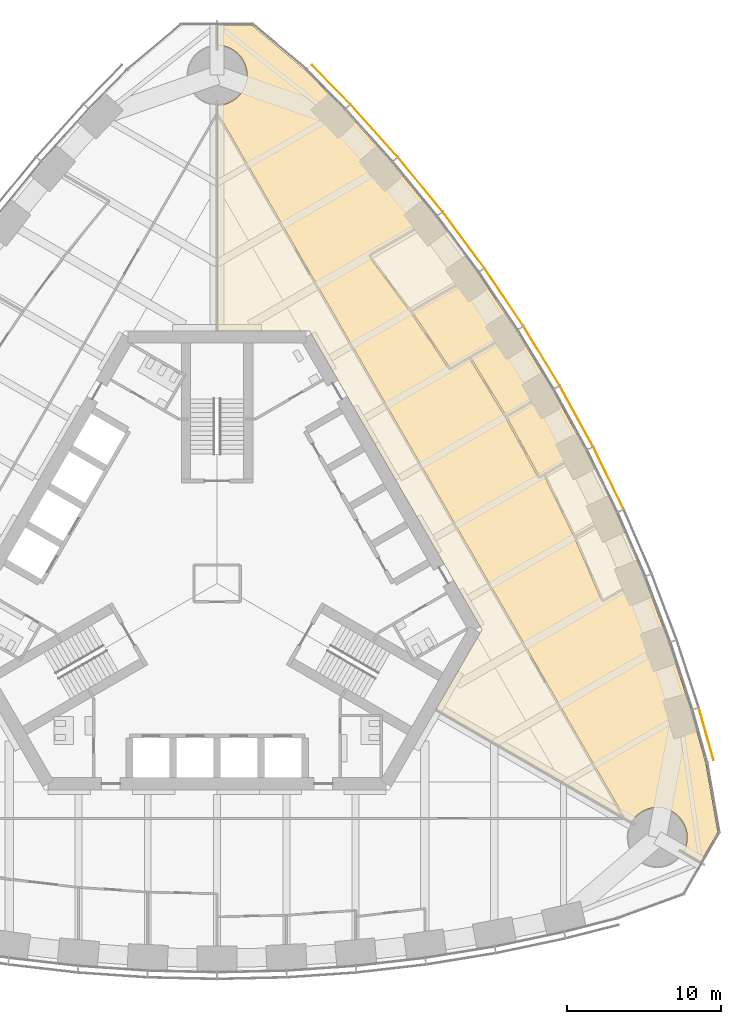
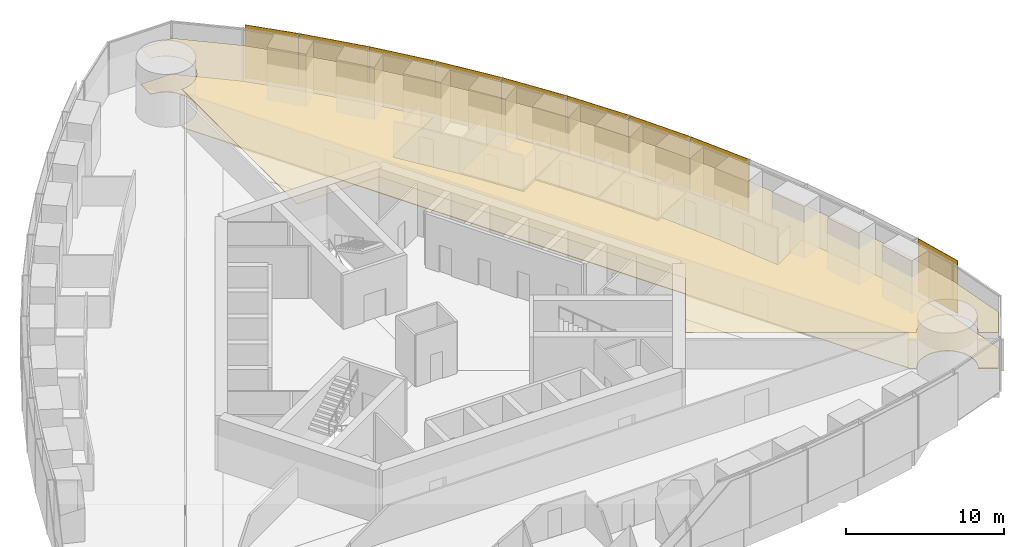
# One storey, part 17 of 19: 9 shading devices, 5 coverings.
"""IFC4 building model written with IfcOpenShell, lengths in metres."""

import ifcopenshell
import ifcopenshell.guid

model = None  # the IFC model being written
_history = None  # IfcOwnerHistory: only IFC2X3 demands one
_inside = {}  # id of a spatial element -> (the spatial element, [elements in it])
_under = {}  # id of a project, library or spatial element -> (it, [spatial elements below it])
_declared = {}  # id of a project -> (the project, [libraries it declares])
_typed = {}  # id of a type object -> (the type object, [elements of that type])
_made_of = {}  # id of a material, layer set ... -> (it, [elements and type objects made of it])


def new_model(schema):
    """Start an empty IFC model of exactly this schema.

    Asked for "IFC4X3", IfcOpenShell would pick the latest addendum, in which some entities
    have other attributes; the version numbers below select the first issue.
    IFC2X3 requires an IfcOwnerHistory on every rooted entity: one is made here for all.
    """
    global model, _history
    if schema == "IFC4X3":
        model = ifcopenshell.file(schema_version=(4, 3, 0, 0))
    else:
        model = ifcopenshell.file(schema=schema)
    _inside.clear()
    _under.clear()
    _declared.clear()
    _typed.clear()
    _made_of.clear()
    _history = None
    if model.schema == "IFC2X3":
        org = make("IfcOrganization", Name="unknown")
        user = make(
            "IfcPersonAndOrganization",
            ThePerson=make("IfcPerson", FamilyName="unknown"),
            TheOrganization=org,
        )
        app = make(
            "IfcApplication",
            ApplicationDeveloper=org,
            Version="unknown",
            ApplicationFullName="unknown",
            ApplicationIdentifier="unknown",
        )
        _history = make(
            "IfcOwnerHistory",
            OwningUser=user,
            OwningApplication=app,
            ChangeAction="ADDED",
            CreationDate=0,
        )
    return model


def make(cls, **values):
    """One entity of the class cls with the attributes given. An attribute that is None is left unset."""
    return model.create_entity(
        cls, **{name: value for name, value in values.items() if value is not None}
    )


def rooted(cls, **values):
    """An entity with a GlobalId (a new one), such as an element, a storey or a relation."""
    return make(cls, GlobalId=ifcopenshell.guid.new(), OwnerHistory=_history, **values)


def si_unit(unit_type, name, prefix=None):
    """IfcSIUnit, for example si_unit("LENGTHUNIT", "METRE", prefix="MILLI")."""
    return make("IfcSIUnit", UnitType=unit_type, Prefix=prefix, Name=name)


def assignment(units):
    """IfcUnitAssignment: the units of a project."""
    return None if units is None else make("IfcUnitAssignment", Units=units)


def point(xyz):
    """IfcCartesianPoint."""
    return None if xyz is None else make("IfcCartesianPoint", Coordinates=xyz)


def direction(xyz):
    """IfcDirection."""
    return None if xyz is None else make("IfcDirection", DirectionRatios=xyz)


def frame(location, z_axis=None, x_axis=None):
    """IfcAxis2Placement3D, a coordinate frame: its origin and axes. An axis left out is left unset."""
    return make(
        "IfcAxis2Placement3D",
        Location=point(location),
        Axis=direction(z_axis),
        RefDirection=direction(x_axis),
    )


def frame_2d(location, x_axis=None):
    """IfcAxis2Placement2D, a coordinate frame in the plane: its origin and x axis."""
    return make(
        "IfcAxis2Placement2D", Location=point(location), RefDirection=direction(x_axis)
    )


def origin():
    """The frame at (0, 0, 0) with its axes left unset."""
    return frame((0.0, 0.0, 0.0))


def origin_2d():
    """The frame at (0, 0) in the plane with its x axis left unset."""
    return frame_2d((0.0, 0.0))


def place(relative_to, where):
    """IfcLocalPlacement: puts the frame where relative to a parent placement (None: the world)."""
    return make(
        "IfcLocalPlacement", PlacementRelTo=relative_to, RelativePlacement=where
    )


def context(
    kind, dimensions, precision=None, world=None, true_north=None, identifier=None
):
    """IfcGeometricRepresentationContext, for example the 3D "Model" context."""
    return make(
        "IfcGeometricRepresentationContext",
        ContextIdentifier=identifier,
        ContextType=kind,
        CoordinateSpaceDimension=dimensions,
        Precision=precision,
        WorldCoordinateSystem=world,
        TrueNorth=true_north,
    )


def subcontext(parent, identifier, kind, view, scale=None):
    """IfcGeometricRepresentationSubContext, for example "Body" below "Model"."""
    return make(
        "IfcGeometricRepresentationSubContext",
        ContextIdentifier=identifier,
        ContextType=kind,
        ParentContext=parent,
        TargetScale=scale,
        TargetView=view,
    )


def project(units=None, contexts=None):
    """IfcProject with its units and contexts."""
    return rooted(
        "IfcProject",
        Name="project",
        RepresentationContexts=contexts,
        UnitsInContext=assignment(units),
    )


def spatial(cls, under=None, at=None, **own):
    """A site, building, storey or space (cls), placed at a placement, below another one or the project."""
    s = rooted(cls, ObjectPlacement=at, **own)
    if under is not None:
        _under.setdefault(under.id(), (under, []))[1].append(s)
    return s


def polyline(points):
    """IfcPolyline through the points."""
    return make("IfcPolyline", Points=[point(p) for p in points])


def profile(cls, at=None, kind="AREA", **sizes):
    """A parametric profile (cls). Its sizes go by their IFC names, for example OverallWidth=200.0."""
    return make(cls, ProfileType=kind, Position=at, **sizes)


def rectangle(**sizes):
    """IfcRectangleProfileDef."""
    return profile("IfcRectangleProfileDef", **sizes)


def outline(outer, holes=None, kind="AREA"):
    """IfcArbitraryClosedProfileDef: a profile drawn as a closed curve; with holes, ...WithVoids."""
    if holes is None:
        return make("IfcArbitraryClosedProfileDef", ProfileType=kind, OuterCurve=outer)
    return make(
        "IfcArbitraryProfileDefWithVoids",
        ProfileType=kind,
        OuterCurve=outer,
        InnerCurves=holes,
    )


def extrude(swept, where, along, depth):
    """IfcExtrudedAreaSolid: the profile swept, set in the frame where, extruded along a direction by depth."""
    return make(
        "IfcExtrudedAreaSolid",
        SweptArea=swept,
        Position=where,
        ExtrudedDirection=direction(along),
        Depth=depth,
    )


def shape(context_of_items, identifier, shape_type, items):
    """IfcShapeRepresentation: the items that make up one representation, for example the "Body"."""
    return make(
        "IfcShapeRepresentation",
        ContextOfItems=context_of_items,
        RepresentationIdentifier=identifier,
        RepresentationType=shape_type,
        Items=items,
    )


def material(Name=None, Category=None):
    """IfcMaterial."""
    return make("IfcMaterial", Name=Name, Category=Category)


def layer(
    of_material, thickness, ventilated=None, Name=None, Category=None, Priority=None
):
    """IfcMaterialLayer: one layer of a wall or slab, of a material (None: an air gap)."""
    return make(
        "IfcMaterialLayer",
        Material=of_material,
        LayerThickness=thickness,
        IsVentilated=ventilated,
        Name=Name,
        Category=Category,
        Priority=Priority,
    )


def layer_set(layers, Name=None):
    """IfcMaterialLayerSet."""
    return make("IfcMaterialLayerSet", MaterialLayers=layers, LayerSetName=Name)


def made_of(thing, what):
    """Note that an element or type object is made of a material, layer set ...; save() writes the relation."""
    if what is not None:
        _made_of.setdefault(what.id(), (what, []))[1].append(thing)
    return thing


def type_object(cls, material=None, **own):
    """A type object (cls), such as IfcWallType, which elements share."""
    return made_of(rooted(cls, **own), material)


def element(
    cls,
    number,
    at=None,
    inside=None,
    cuts=None,
    type_object=None,
    material=None,
    context=None,
    identifier="Body",
    shape_type=None,
    held_by="IfcProductDefinitionShape",
    body=None,
    shapes=None,
    **own,
):
    """One element of the class cls, such as IfcWall. Its Tag is "e" and its number.

    at: its placement. inside: the storey or other place that contains it. cuts: it is an
    opening in that element (IfcRelVoidsElement). A single representation is given by context,
    identifier, shape_type and body (its items); several are given by shapes. held_by: the class
    of the entity that holds the representations. save() writes the other relations.
    """
    e = rooted(cls, Tag="e%d" % number, ObjectPlacement=at, **own)
    if body is not None:
        shapes = [shape(context, identifier, shape_type, body)]
    if shapes is not None:
        e.Representation = make(held_by, Representations=shapes)
    if inside is not None:
        _inside.setdefault(inside.id(), (inside, []))[1].append(e)
    if cuts is not None:
        rooted(
            "IfcRelVoidsElement", RelatingBuildingElement=cuts, RelatedOpeningElement=e
        )
    if type_object is not None:
        _typed.setdefault(type_object.id(), (type_object, []))[1].append(e)
    return made_of(e, material)


def aggregate(whole, parts):
    """IfcRelAggregates: a whole, such as a stair, and the parts it consists of."""
    return rooted("IfcRelAggregates", RelatingObject=whole, RelatedObjects=parts)


def save(model, path):
    """Write the relations noted so far, then the file.

    IfcRelAggregates (storeys below a building ...), IfcRelContainedInSpatialStructure (elements
    in a storey), IfcRelDefinesByType, IfcRelAssociatesMaterial and IfcRelDeclares: one each for
    every whole, place, type object, material and project.
    """
    for whole, parts in _under.values():
        aggregate(whole, parts)
    for where, things in _inside.values():
        rooted(
            "IfcRelContainedInSpatialStructure",
            RelatedElements=things,
            RelatingStructure=where,
        )
    for kind, things in _typed.values():
        rooted("IfcRelDefinesByType", RelatedObjects=things, RelatingType=kind)
    for what, things in _made_of.values():
        rooted("IfcRelAssociatesMaterial", RelatedObjects=things, RelatingMaterial=what)
    for by, libraries in _declared.values():
        rooted("IfcRelDeclares", RelatingContext=by, RelatedDefinitions=libraries)
    model.write(path)


model = new_model("IFC4")

# Units and contexts
model_context = context("Model", 3, precision=1e-05, world=origin(), true_north=direction((0.0, 1.0)))
body_context = subcontext(model_context, "Body", "Model", "MODEL_VIEW")
ifc_project = project(units=[si_unit("LENGTHUNIT", "METRE"), si_unit("AREAUNIT", "SQUARE_METRE"), si_unit("VOLUMEUNIT", "CUBIC_METRE"), si_unit("PLANEANGLEUNIT", "RADIAN"), si_unit("MASSUNIT", "GRAM", prefix="KILO")], contexts=[model_context])

# Site, building, storey
site_placement = place(None, origin())
site = spatial("IfcSite", under=ifc_project, at=site_placement, CompositionType="ELEMENT")
building_placement = place(site_placement, origin())
building = spatial("IfcBuilding", under=site, at=building_placement, Name="Trefoil Bronze Tower", CompositionType="ELEMENT")
storey_placement = place(building_placement, frame((0.0, 0.0, 189.699951171875)))
storey = spatial("IfcBuildingStorey", under=building, at=storey_placement, Name="L43", CompositionType="ELEMENT", Elevation=189.699951171875)

# Shading devices
ifc_material_1 = material(Name="Perforated bronze sheet", Category="bronze")
ifc_layer_1 = layer(ifc_material_1, 0.0400390625)
ifc_layer_set_1 = layer_set([ifc_layer_1], Name="Bronze solar screen panel")
shading_device_type = type_object("IfcShadingDeviceType", Name="Bronze solar screen panel", PredefinedType="SHUTTER", material=ifc_layer_set_1)
shading_device_1_placement = place(storey_placement, frame((31.764892578125, -9.7890625, 0.050048828125), z_axis=(0.0, 0.0, 1.0), x_axis=(-0.270282222968, 0.962781138134, 0.0)))
element("IfcShadingDevice", 1, at=shading_device_1_placement, inside=storey, type_object=shading_device_type, Name="Solar screen CW-A L43 F2 bay 1", PredefinedType="SHUTTER", context=body_context, shape_type="SweptSolid", body=[
    extrude(rectangle(XDim=3.53369140625, YDim=0.0400390625, at=origin_2d()), origin(), (0.0, 0.0, 1.0), 4.10009765625),
])
shading_device_2_placement = place(storey_placement, frame((25.4169921875, 6.83740234375, 0.050048828125), z_axis=(0.0, 0.0, 1.0), x_axis=(-0.439129033334, 0.898424004623, 0.0)))
element("IfcShadingDevice", 2, at=shading_device_2_placement, inside=storey, type_object=shading_device_type, Name="Solar screen CW-A L43 F2 bay 5", PredefinedType="SHUTTER", context=body_context, shape_type="SweptSolid", body=[
    extrude(rectangle(XDim=4.480712890625, YDim=0.0400390625, at=origin_2d()), origin(), (0.0, 0.0, 1.0), 4.10009765625),
])
for number, where, z_axis, x_axis, name in (
    (3, (23.3349609375, 10.860107421875, 0.050048828125), (0.0, 0.0, 1.0), (-0.479974003504, 0.877282711536, 0.0), "Solar screen CW-A L43 F2 bay 6"),
    (4, (21.07275390625, 14.77880859375, 0.050048828125), (0.0, 0.0, 1.0), (-0.519762112739, 0.854311035959, 0.0), "Solar screen CW-A L43 F2 bay 7"),
):
    element("IfcShadingDevice", number, at=place(storey_placement, frame(where, z_axis=z_axis, x_axis=x_axis)), inside=storey, type_object=shading_device_type, Name=name, PredefinedType="SHUTTER", context=body_context, shape_type="SweptSolid", body=[
        extrude(rectangle(XDim=4.47119140625, YDim=0.0400390625, at=origin_2d()), origin(), (0.0, 0.0, 1.0), 4.10009765625),
    ])
shading_device_3_placement = place(storey_placement, frame((18.6298828125, 18.59326171875, 0.050048828125), z_axis=(0.0, 0.0, 1.0), x_axis=(-0.558493494706, 0.829508900718, 0.0)))
element("IfcShadingDevice", 5, at=shading_device_3_placement, inside=storey, type_object=shading_device_type, Name="Solar screen CW-A L43 F2 bay 8", PredefinedType="SHUTTER", context=body_context, shape_type="SweptSolid", body=[
    extrude(rectangle(XDim=4.480712890625, YDim=0.0400390625, at=origin_2d()), origin(), (0.0, 0.0, 1.0), 4.10009765625),
])
shading_device_4_placement = place(storey_placement, frame((16.005615234375, 22.302734375, 0.050048828125), z_axis=(0.0, 0.0, 1.0), x_axis=(-0.596161525977, 0.802864518425, 0.0)))
element("IfcShadingDevice", 6, at=shading_device_4_placement, inside=storey, type_object=shading_device_type, Name="Solar screen CW-A L43 F2 bay 9", PredefinedType="SHUTTER", context=body_context, shape_type="SweptSolid", body=[
    extrude(rectangle(XDim=4.5, YDim=0.0400390625, at=origin_2d()), origin(), (0.0, 0.0, 1.0), 4.10009765625),
])
shading_device_5_placement = place(storey_placement, frame((13.197509765625, 25.90625, 0.050048828125), z_axis=(0.0, 0.0, 1.0), x_axis=(-0.63275261301, 0.774354008661, 0.0)))
element("IfcShadingDevice", 7, at=shading_device_5_placement, inside=storey, type_object=shading_device_type, Name="Solar screen CW-A L43 F2 bay 10", PredefinedType="SHUTTER", context=body_context, shape_type="SweptSolid", body=[
    extrude(rectangle(XDim=4.529296875, YDim=0.0400390625, at=origin_2d()), origin(), (0.0, 0.0, 1.0), 4.10009765625),
])
shading_device_6_placement = place(storey_placement, frame((10.20166015625, 29.401611328125, 0.050048828125), z_axis=(0.0, 0.0, 1.0), x_axis=(-0.668245744076, 0.743940606181, 0.0)))
element("IfcShadingDevice", 8, at=shading_device_6_placement, inside=storey, type_object=shading_device_type, Name="Solar screen CW-A L43 F2 bay 11", PredefinedType="SHUTTER", context=body_context, shape_type="SweptSolid", body=[
    extrude(rectangle(XDim=4.5693359375, YDim=0.0400390625, at=origin_2d()), origin(), (0.0, 0.0, 1.0), 4.10009765625),
])
shading_device_7_placement = place(storey_placement, frame((7.40478515625, 32.40380859375, 0.050048828125), z_axis=(0.0, 0.0, 1.0), x_axis=(-0.698651812425, 0.715461840349, 0.0)))
element("IfcShadingDevice", 9, at=shading_device_7_placement, inside=storey, type_object=shading_device_type, Name="Solar screen CW-A L43 F2 bay 12", PredefinedType="SHUTTER", context=body_context, shape_type="SweptSolid", body=[
    extrude(rectangle(XDim=3.53369140625, YDim=0.0400390625, at=origin_2d()), origin(), (0.0, 0.0, 1.0), 4.10009765625),
])

# Coverings
ifc_material_2 = material(Name="Acoustic ceiling panels", Category="mineral fibre")
ifc_layer_2 = layer(ifc_material_2, 0.02001953125)
ifc_layer_set_2 = layer_set([ifc_layer_2], Name="Office ceiling 20")
covering_type_1 = type_object("IfcCoveringType", Name="Office ceiling 20", PredefinedType="CEILING", material=ifc_layer_set_2)
covering_1_placement = place(storey_placement, frame((0.0, 0.0, 2.900146484375)))
element("IfcCovering", 10, at=covering_1_placement, inside=storey, type_object=covering_type_1, Name="Ceiling L43 Open-plan office F2", PredefinedType="CEILING", context=body_context, shape_type="SweptSolid", body=[
    extrude(outline(polyline([(8.26318359375, 30.751708984375), (11.3369140625, 27.329833984375), (14.2216796875, 23.79931640625), (16.92236328125, 20.162353515625), (19.44140625, 16.420654296875), (21.781005859375, 12.5751953125), (23.94140625, 8.62646484375), (25.92236328125, 4.573974609375), (27.7216796875, 0.416748046875), (29.3369140625, -3.846923828125), (30.76318359375, -8.219482421875), (31.7265625, -11.650634765625), (32.518310546875, -16.1416015625), (31.385009765625, -18.1044921875), (30.273681640625, -17.46337890625), (30.298583984375, -17.419189453125), (30.341552734375, -17.333740234375), (30.38037109375, -17.24609375), (30.414794921875, -17.156982421875), (30.44482421875, -17.066162109375), (30.470458984375, -16.973876953125), (30.491455078125, -16.88037109375), (30.5078125, -16.7861328125), (30.519287109375, -16.691162109375), (30.526611328125, -16.595703125), (30.52880859375, -16.5), (30.526611328125, -16.404296875), (30.519287109375, -16.308837890625), (30.5078125, -16.2138671875), (30.491455078125, -16.11962890625), (30.470458984375, -16.026123046875), (30.44482421875, -15.933837890625), (30.414794921875, -15.843017578125), (30.38037109375, -15.75390625), (30.341552734375, -15.666259765625), (30.298583984375, -15.580810546875), (30.25146484375, -15.49755859375), (30.2001953125, -15.41650390625), (30.14501953125, -15.33837890625), (30.086181640625, -15.262939453125), (30.023681640625, -15.1904296875), (29.957763671875, -15.12109375), (29.888427734375, -15.05517578125), (29.81591796875, -14.99267578125), (29.740478515625, -14.93359375), (29.662109375, -14.878662109375), (29.581298828125, -14.827392578125), (29.498046875, -14.7802734375), (29.41259765625, -14.7373046875), (29.3251953125, -14.698486328125), (29.23583984375, -14.6640625), (29.14501953125, -14.634033203125), (29.052490234375, -14.6083984375), (28.959228515625, -14.58740234375), (28.864990234375, -14.571044921875), (28.77001953125, -14.559326171875), (28.674560546875, -14.55224609375), (28.578857421875, -14.550048828125), (28.483154296875, -14.55224609375), (28.3876953125, -14.559326171875), (28.292724609375, -14.571044921875), (28.198486328125, -14.58740234375), (28.10498046875, -14.6083984375), (28.0126953125, -14.634033203125), (27.921875, -14.6640625), (27.83251953125, -14.698486328125), (27.7451171875, -14.7373046875), (27.65966796875, -14.7802734375), (27.576416015625, -14.827392578125), (27.49560546875, -14.878662109375), (27.417236328125, -14.93359375), (27.341796875, -14.99267578125), (27.269287109375, -15.05517578125), (27.199951171875, -15.12109375), (27.134033203125, -15.1904296875), (27.071533203125, -15.262939453125), (27.0126953125, -15.33837890625), (26.95751953125, -15.41650390625), (26.896240234375, -15.51513671875), (14.205810546875, -8.194580078125), (17.205078125, -3.0), (6.00439453125, 16.39990234375), (0.006103515625, 16.39990234375), (0.01171875, 31.05029296875), (0.095703125, 31.05224609375), (0.191162109375, 31.059326171875), (0.2861328125, 31.071044921875), (0.38037109375, 31.08740234375), (0.473876953125, 31.1083984375), (0.566162109375, 31.134033203125), (0.656982421875, 31.1640625), (0.74609375, 31.198486328125), (0.833740234375, 31.2373046875), (0.919189453125, 31.2802734375), (1.00244140625, 31.327392578125), (1.08349609375, 31.378662109375), (1.16162109375, 31.43359375), (1.237060546875, 31.49267578125), (1.3095703125, 31.55517578125), (1.37890625, 31.62109375), (1.44482421875, 31.6904296875), (1.50732421875, 31.762939453125), (1.56640625, 31.83837890625), (1.621337890625, 31.91650390625), (1.672607421875, 31.99755859375), (1.7197265625, 32.080810546875), (1.7626953125, 32.166259765625), (1.801513671875, 32.25390625), (1.8359375, 32.343017578125), (1.865966796875, 32.433837890625), (1.8916015625, 32.526123046875), (1.91259765625, 32.61962890625), (1.928955078125, 32.7138671875), (1.940673828125, 32.808837890625), (1.94775390625, 32.904296875), (1.949951171875, 33.0), (1.94775390625, 33.095703125), (1.940673828125, 33.191162109375), (1.928955078125, 33.2861328125), (1.91259765625, 33.38037109375), (1.8916015625, 33.473876953125), (1.865966796875, 33.566162109375), (1.8359375, 33.656982421875), (1.801513671875, 33.74609375), (1.7626953125, 33.833740234375), (1.7197265625, 33.919189453125), (1.672607421875, 34.00244140625), (1.621337890625, 34.08349609375), (1.56640625, 34.16162109375), (1.50732421875, 34.237060546875), (1.44482421875, 34.3095703125), (1.37890625, 34.37890625), (1.3095703125, 34.44482421875), (1.237060546875, 34.50732421875), (1.16162109375, 34.56640625), (1.08349609375, 34.621337890625), (1.00244140625, 34.672607421875), (0.919189453125, 34.7197265625), (0.833740234375, 34.7626953125), (0.74609375, 34.801513671875), (0.656982421875, 34.8359375), (0.566162109375, 34.865966796875), (0.473876953125, 34.8916015625), (0.38037109375, 34.91259765625), (0.2861328125, 34.928955078125), (0.191162109375, 34.940673828125), (0.095703125, 34.94775390625), (0.01318359375, 34.94970703125), (0.013671875, 36.232666015625), (2.280029296875, 36.232666015625), (5.7734375, 33.30126953125), (8.26318359375, 30.751708984375)])), origin(), (0.0, 0.0, 1.0), 0.02001953125),
])
ifc_material_3 = material(Name="Raised access floor panels", Category="steel")
ifc_layer_3 = layer(ifc_material_3, 0.050048828125)
ifc_layer_set_3 = layer_set([ifc_layer_3], Name="Raised access floor 150")
covering_type_2 = type_object("IfcCoveringType", Name="Raised access floor 150", PredefinedType="FLOORING", material=ifc_layer_set_3)
covering_2_placement = place(storey_placement, frame((0.0, 0.0, 0.10009765625)))
element("IfcCovering", 11, at=covering_2_placement, inside=storey, type_object=covering_type_2, Name="Raised floor L43 Meeting room F2", PredefinedType="FLOORING", context=body_context, shape_type="SweptSolid", body=[
    extrude(outline(polyline([(19.44140625, 16.420654296875), (18.0283203125, 15.60498046875), (17.998291015625, 15.65673828125), (15.1298828125, 14.000732421875), (12.677978515625, 17.642578125), (15.53466796875, 19.2919921875), (15.504638671875, 19.343994140625), (16.92236328125, 20.162353515625), (19.44140625, 16.420654296875)])), origin(), (0.0, 0.0, 1.0), 0.050048828125),
])
covering_3_placement = place(storey_placement, frame((0.0, 0.0, 0.10009765625)))
element("IfcCovering", 12, at=covering_3_placement, inside=storey, type_object=covering_type_2, Name="Raised floor L43 Focus room F2", PredefinedType="FLOORING", context=body_context, shape_type="SweptSolid", body=[
    extrude(outline(polyline([(19.44140625, 16.420654296875), (21.781005859375, 12.5751953125), (20.369384765625, 11.76025390625), (20.339599609375, 11.812255859375), (18.770751953125, 10.906494140625), (16.49365234375, 14.6494140625), (18.058349609375, 15.552978515625), (18.0283203125, 15.60498046875), (19.44140625, 16.420654296875)])), origin(), (0.0, 0.0, 1.0), 0.050048828125),
])
covering_4_placement = place(storey_placement, frame((0.0, 0.0, 0.10009765625)))
element("IfcCovering", 13, at=covering_4_placement, inside=storey, type_object=covering_type_2, Name="Raised floor L43 Focus room F2", PredefinedType="FLOORING", context=body_context, shape_type="SweptSolid", body=[
    extrude(outline(polyline([(21.781005859375, 12.5751953125), (23.94140625, 8.62646484375), (22.5283203125, 7.810546875), (22.498291015625, 7.862548828125), (20.93359375, 6.959228515625), (18.830810546875, 10.802734375), (20.3994140625, 11.70849609375), (20.369384765625, 11.76025390625), (21.781005859375, 12.5751953125)])), origin(), (0.0, 0.0, 1.0), 0.050048828125),
])
covering_5_placement = place(storey_placement, frame((0.0, 0.0, 0.10009765625)))
element("IfcCovering", 14, at=covering_5_placement, inside=storey, type_object=covering_type_2, Name="Raised floor L43 Open-plan office F2", PredefinedType="FLOORING", context=body_context, shape_type="SweptSolid", body=[
    extrude(outline(polyline([(14.2216796875, 23.79931640625), (12.796630859375, 22.9765625), (12.7666015625, 23.028564453125), (9.861572265625, 21.351318359375), (9.8916015625, 21.29931640625), (9.843505859375, 21.263671875), (12.543212890625, 17.627685546875), (15.0615234375, 13.88720703125), (15.111328125, 13.920654296875), (15.141357421875, 13.868896484375), (16.3896484375, 14.589599609375), (18.697998046875, 10.79541015625), (20.85791015625, 6.84765625), (20.910400390625, 6.87646484375), (20.9404296875, 6.824462890625), (21.231201171875, 6.992431640625), (23.18310546875, 2.998779296875), (24.98193359375, -1.156982421875), (25.037109375, -1.13330078125), (25.067138671875, -1.185302734375), (26.32666015625, -0.4580078125), (26.296630859375, -0.406005859375), (27.7216796875, 0.416748046875), (29.3369140625, -3.846923828125), (30.76318359375, -8.219482421875), (31.7265625, -11.650634765625), (32.518310546875, -16.1416015625), (31.385009765625, -18.1044921875), (30.273681640625, -17.46337890625), (30.298583984375, -17.419189453125), (30.341552734375, -17.333740234375), (30.38037109375, -17.24609375), (30.414794921875, -17.156982421875), (30.44482421875, -17.066162109375), (30.470458984375, -16.973876953125), (30.491455078125, -16.88037109375), (30.5078125, -16.7861328125), (30.519287109375, -16.691162109375), (30.526611328125, -16.595703125), (30.52880859375, -16.5), (30.526611328125, -16.404296875), (30.519287109375, -16.308837890625), (30.5078125, -16.2138671875), (30.491455078125, -16.11962890625), (30.470458984375, -16.026123046875), (30.44482421875, -15.933837890625), (30.414794921875, -15.843017578125), (30.38037109375, -15.75390625), (30.341552734375, -15.666259765625), (30.298583984375, -15.580810546875), (30.25146484375, -15.49755859375), (30.2001953125, -15.41650390625), (30.14501953125, -15.33837890625), (30.086181640625, -15.262939453125), (30.023681640625, -15.1904296875), (29.957763671875, -15.12109375), (29.888427734375, -15.05517578125), (29.81591796875, -14.99267578125), (29.740478515625, -14.93359375), (29.662109375, -14.878662109375), (29.581298828125, -14.827392578125), (29.498046875, -14.7802734375), (29.41259765625, -14.7373046875), (29.3251953125, -14.698486328125), (29.23583984375, -14.6640625), (29.14501953125, -14.634033203125), (29.052490234375, -14.6083984375), (28.959228515625, -14.58740234375), (28.864990234375, -14.571044921875), (28.77001953125, -14.559326171875), (28.674560546875, -14.55224609375), (28.578857421875, -14.550048828125), (28.483154296875, -14.55224609375), (28.3876953125, -14.559326171875), (28.292724609375, -14.571044921875), (28.198486328125, -14.58740234375), (28.10498046875, -14.6083984375), (28.0126953125, -14.634033203125), (27.921875, -14.6640625), (27.83251953125, -14.698486328125), (27.7451171875, -14.7373046875), (27.65966796875, -14.7802734375), (27.576416015625, -14.827392578125), (27.49560546875, -14.878662109375), (27.417236328125, -14.93359375), (27.341796875, -14.99267578125), (27.269287109375, -15.05517578125), (27.199951171875, -15.12109375), (27.134033203125, -15.1904296875), (27.071533203125, -15.262939453125), (27.0126953125, -15.33837890625), (26.95751953125, -15.41650390625), (26.896240234375, -15.51513671875), (26.40966796875, -15.234375), (26.466552734375, -15.201416015625), (0.068359375, 30.521484375), (0.011474609375, 30.488525390625), (0.01171875, 31.05029296875), (0.095703125, 31.05224609375), (0.191162109375, 31.059326171875), (0.2861328125, 31.071044921875), (0.38037109375, 31.08740234375), (0.473876953125, 31.1083984375), (0.566162109375, 31.134033203125), (0.656982421875, 31.1640625), (0.74609375, 31.198486328125), (0.833740234375, 31.2373046875), (0.919189453125, 31.2802734375), (1.00244140625, 31.327392578125), (1.08349609375, 31.378662109375), (1.16162109375, 31.43359375), (1.237060546875, 31.49267578125), (1.3095703125, 31.55517578125), (1.37890625, 31.62109375), (1.44482421875, 31.6904296875), (1.50732421875, 31.762939453125), (1.56640625, 31.83837890625), (1.621337890625, 31.91650390625), (1.672607421875, 31.99755859375), (1.7197265625, 32.080810546875), (1.7626953125, 32.166259765625), (1.801513671875, 32.25390625), (1.8359375, 32.343017578125), (1.865966796875, 32.433837890625), (1.8916015625, 32.526123046875), (1.91259765625, 32.61962890625), (1.928955078125, 32.7138671875), (1.940673828125, 32.808837890625), (1.94775390625, 32.904296875), (1.949951171875, 33.0), (1.94775390625, 33.095703125), (1.940673828125, 33.191162109375), (1.928955078125, 33.2861328125), (1.91259765625, 33.38037109375), (1.8916015625, 33.473876953125), (1.865966796875, 33.566162109375), (1.8359375, 33.656982421875), (1.801513671875, 33.74609375), (1.7626953125, 33.833740234375), (1.7197265625, 33.919189453125), (1.672607421875, 34.00244140625), (1.621337890625, 34.08349609375), (1.56640625, 34.16162109375), (1.50732421875, 34.237060546875), (1.44482421875, 34.3095703125), (1.37890625, 34.37890625), (1.3095703125, 34.44482421875), (1.237060546875, 34.50732421875), (1.16162109375, 34.56640625), (1.08349609375, 34.621337890625), (1.00244140625, 34.672607421875), (0.919189453125, 34.7197265625), (0.833740234375, 34.7626953125), (0.74609375, 34.801513671875), (0.656982421875, 34.8359375), (0.566162109375, 34.865966796875), (0.473876953125, 34.8916015625), (0.38037109375, 34.91259765625), (0.2861328125, 34.928955078125), (0.191162109375, 34.940673828125), (0.095703125, 34.94775390625), (0.01318359375, 34.94970703125), (0.013671875, 36.232666015625), (2.280029296875, 36.232666015625), (5.7734375, 33.30126953125), (8.26318359375, 30.751708984375), (11.3369140625, 27.329833984375), (14.2216796875, 23.79931640625)])), origin(), (0.0, 0.0, 1.0), 0.050048828125),
])

save(model, "model.ifc")
